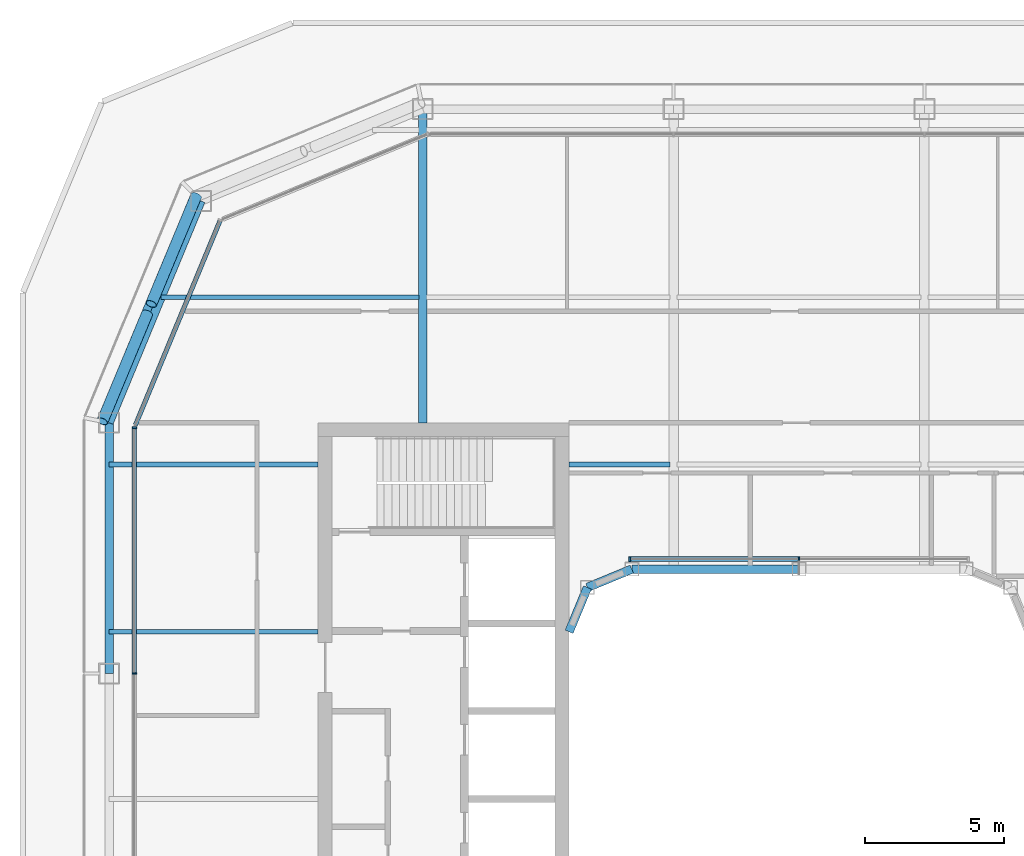
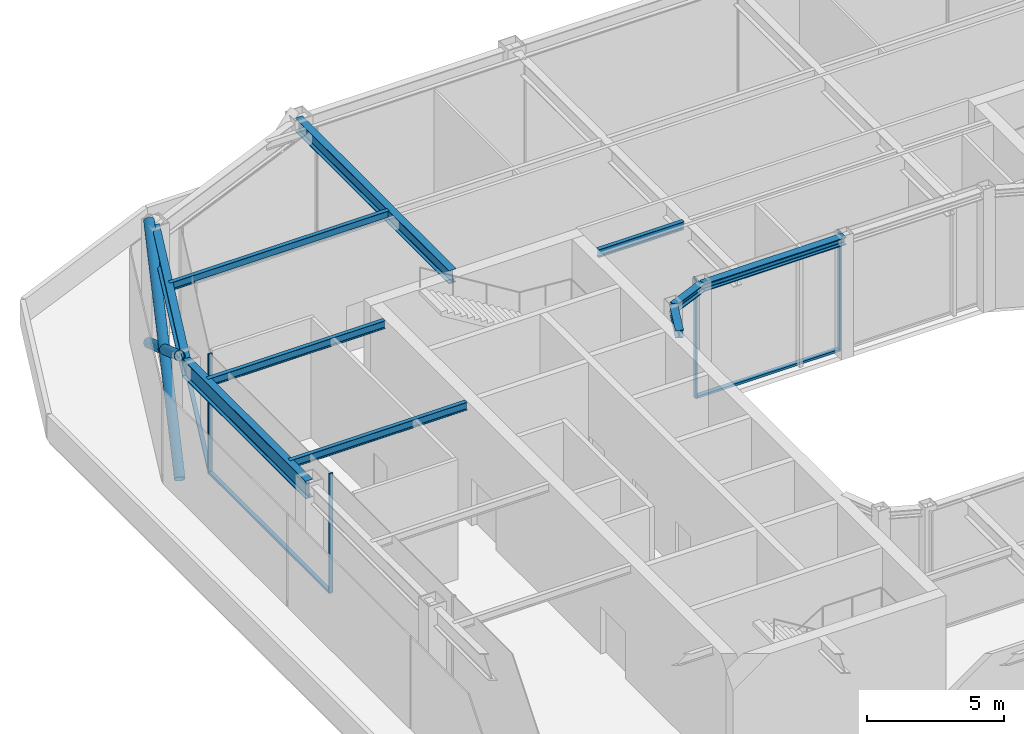
# One storey, part 6 of 17: 10 beams, 10 members, 3 elements without a shape of their own.
"""IFC4 building model written with IfcOpenShell, lengths in metres."""

import ifcopenshell
import ifcopenshell.guid

model = None  # the IFC model being written
_history = None  # IfcOwnerHistory: only IFC2X3 demands one
_inside = {}  # id of a spatial element -> (the spatial element, [elements in it])
_under = {}  # id of a project, library or spatial element -> (it, [spatial elements below it])
_declared = {}  # id of a project -> (the project, [libraries it declares])
_typed = {}  # id of a type object -> (the type object, [elements of that type])
_made_of = {}  # id of a material, layer set ... -> (it, [elements and type objects made of it])


def new_model(schema):
    """Start an empty IFC model of exactly this schema.

    Asked for "IFC4X3", IfcOpenShell would pick the latest addendum, in which some entities
    have other attributes; the version numbers below select the first issue.
    IFC2X3 requires an IfcOwnerHistory on every rooted entity: one is made here for all.
    """
    global model, _history
    if schema == "IFC4X3":
        model = ifcopenshell.file(schema_version=(4, 3, 0, 0))
    else:
        model = ifcopenshell.file(schema=schema)
    _inside.clear()
    _under.clear()
    _declared.clear()
    _typed.clear()
    _made_of.clear()
    _history = None
    if model.schema == "IFC2X3":
        org = make("IfcOrganization", Name="unknown")
        user = make(
            "IfcPersonAndOrganization",
            ThePerson=make("IfcPerson", FamilyName="unknown"),
            TheOrganization=org,
        )
        app = make(
            "IfcApplication",
            ApplicationDeveloper=org,
            Version="unknown",
            ApplicationFullName="unknown",
            ApplicationIdentifier="unknown",
        )
        _history = make(
            "IfcOwnerHistory",
            OwningUser=user,
            OwningApplication=app,
            ChangeAction="ADDED",
            CreationDate=0,
        )
    return model


def make(cls, **values):
    """One entity of the class cls with the attributes given. An attribute that is None is left unset."""
    return model.create_entity(
        cls, **{name: value for name, value in values.items() if value is not None}
    )


def rooted(cls, **values):
    """An entity with a GlobalId (a new one), such as an element, a storey or a relation."""
    return make(cls, GlobalId=ifcopenshell.guid.new(), OwnerHistory=_history, **values)


def si_unit(unit_type, name, prefix=None):
    """IfcSIUnit, for example si_unit("LENGTHUNIT", "METRE", prefix="MILLI")."""
    return make("IfcSIUnit", UnitType=unit_type, Prefix=prefix, Name=name)


def assignment(units):
    """IfcUnitAssignment: the units of a project."""
    return None if units is None else make("IfcUnitAssignment", Units=units)


def point(xyz):
    """IfcCartesianPoint."""
    return None if xyz is None else make("IfcCartesianPoint", Coordinates=xyz)


def direction(xyz):
    """IfcDirection."""
    return None if xyz is None else make("IfcDirection", DirectionRatios=xyz)


def frame(location, z_axis=None, x_axis=None):
    """IfcAxis2Placement3D, a coordinate frame: its origin and axes. An axis left out is left unset."""
    return make(
        "IfcAxis2Placement3D",
        Location=point(location),
        Axis=direction(z_axis),
        RefDirection=direction(x_axis),
    )


def frame_2d(location, x_axis=None):
    """IfcAxis2Placement2D, a coordinate frame in the plane: its origin and x axis."""
    return make(
        "IfcAxis2Placement2D", Location=point(location), RefDirection=direction(x_axis)
    )


def origin():
    """The frame at (0, 0, 0) with its axes left unset."""
    return frame((0.0, 0.0, 0.0))


def origin_2d():
    """The frame at (0, 0) in the plane with its x axis left unset."""
    return frame_2d((0.0, 0.0))


def place(relative_to, where):
    """IfcLocalPlacement: puts the frame where relative to a parent placement (None: the world)."""
    return make(
        "IfcLocalPlacement", PlacementRelTo=relative_to, RelativePlacement=where
    )


def context(
    kind, dimensions, precision=None, world=None, true_north=None, identifier=None
):
    """IfcGeometricRepresentationContext, for example the 3D "Model" context."""
    return make(
        "IfcGeometricRepresentationContext",
        ContextIdentifier=identifier,
        ContextType=kind,
        CoordinateSpaceDimension=dimensions,
        Precision=precision,
        WorldCoordinateSystem=world,
        TrueNorth=true_north,
    )


def subcontext(parent, identifier, kind, view, scale=None):
    """IfcGeometricRepresentationSubContext, for example "Body" below "Model"."""
    return make(
        "IfcGeometricRepresentationSubContext",
        ContextIdentifier=identifier,
        ContextType=kind,
        ParentContext=parent,
        TargetScale=scale,
        TargetView=view,
    )


def project(units=None, contexts=None):
    """IfcProject with its units and contexts."""
    return rooted(
        "IfcProject",
        Name="project",
        RepresentationContexts=contexts,
        UnitsInContext=assignment(units),
    )


def spatial(cls, under=None, at=None, **own):
    """A site, building, storey or space (cls), placed at a placement, below another one or the project."""
    s = rooted(cls, ObjectPlacement=at, **own)
    if under is not None:
        _under.setdefault(under.id(), (under, []))[1].append(s)
    return s


def profile(cls, at=None, kind="AREA", **sizes):
    """A parametric profile (cls). Its sizes go by their IFC names, for example OverallWidth=200.0."""
    return make(cls, ProfileType=kind, Position=at, **sizes)


def rectangle(**sizes):
    """IfcRectangleProfileDef."""
    return profile("IfcRectangleProfileDef", **sizes)


def hollow_circle(**sizes):
    """IfcCircleHollowProfileDef."""
    return profile("IfcCircleHollowProfileDef", **sizes)


def i_section(**sizes):
    """IfcIShapeProfileDef."""
    return profile("IfcIShapeProfileDef", **sizes)


def extrude(swept, where, along, depth):
    """IfcExtrudedAreaSolid: the profile swept, set in the frame where, extruded along a direction by depth."""
    return make(
        "IfcExtrudedAreaSolid",
        SweptArea=swept,
        Position=where,
        ExtrudedDirection=direction(along),
        Depth=depth,
    )


def shape(context_of_items, identifier, shape_type, items):
    """IfcShapeRepresentation: the items that make up one representation, for example the "Body"."""
    return make(
        "IfcShapeRepresentation",
        ContextOfItems=context_of_items,
        RepresentationIdentifier=identifier,
        RepresentationType=shape_type,
        Items=items,
    )


def material(Name=None, Category=None):
    """IfcMaterial."""
    return make("IfcMaterial", Name=Name, Category=Category)


def layer(
    of_material, thickness, ventilated=None, Name=None, Category=None, Priority=None
):
    """IfcMaterialLayer: one layer of a wall or slab, of a material (None: an air gap)."""
    return make(
        "IfcMaterialLayer",
        Material=of_material,
        LayerThickness=thickness,
        IsVentilated=ventilated,
        Name=Name,
        Category=Category,
        Priority=Priority,
    )


def layer_set(layers, Name=None):
    """IfcMaterialLayerSet."""
    return make("IfcMaterialLayerSet", MaterialLayers=layers, LayerSetName=Name)


def material_profile(
    of_material, cross_section, Name=None, Category=None, Priority=None
):
    """IfcMaterialProfile: a cross section and its material."""
    return make(
        "IfcMaterialProfile",
        Name=Name,
        Material=of_material,
        Profile=cross_section,
        Priority=Priority,
        Category=Category,
    )


def profile_set(profiles, Name=None, composite=None):
    """IfcMaterialProfileSet."""
    return make(
        "IfcMaterialProfileSet",
        Name=Name,
        MaterialProfiles=profiles,
        CompositeProfile=composite,
    )


def made_of(thing, what):
    """Note that an element or type object is made of a material, layer set ...; save() writes the relation."""
    if what is not None:
        _made_of.setdefault(what.id(), (what, []))[1].append(thing)
    return thing


def type_object(cls, material=None, **own):
    """A type object (cls), such as IfcWallType, which elements share."""
    return made_of(rooted(cls, **own), material)


def element(
    cls,
    number,
    at=None,
    inside=None,
    cuts=None,
    type_object=None,
    material=None,
    context=None,
    identifier="Body",
    shape_type=None,
    held_by="IfcProductDefinitionShape",
    body=None,
    shapes=None,
    **own,
):
    """One element of the class cls, such as IfcWall. Its Tag is "e" and its number.

    at: its placement. inside: the storey or other place that contains it. cuts: it is an
    opening in that element (IfcRelVoidsElement). A single representation is given by context,
    identifier, shape_type and body (its items); several are given by shapes. held_by: the class
    of the entity that holds the representations. save() writes the other relations.
    """
    e = rooted(cls, Tag="e%d" % number, ObjectPlacement=at, **own)
    if body is not None:
        shapes = [shape(context, identifier, shape_type, body)]
    if shapes is not None:
        e.Representation = make(held_by, Representations=shapes)
    if inside is not None:
        _inside.setdefault(inside.id(), (inside, []))[1].append(e)
    if cuts is not None:
        rooted(
            "IfcRelVoidsElement", RelatingBuildingElement=cuts, RelatedOpeningElement=e
        )
    if type_object is not None:
        _typed.setdefault(type_object.id(), (type_object, []))[1].append(e)
    return made_of(e, material)


def aggregate(whole, parts):
    """IfcRelAggregates: a whole, such as a stair, and the parts it consists of."""
    return rooted("IfcRelAggregates", RelatingObject=whole, RelatedObjects=parts)


def save(model, path):
    """Write the relations noted so far, then the file.

    IfcRelAggregates (storeys below a building ...), IfcRelContainedInSpatialStructure (elements
    in a storey), IfcRelDefinesByType, IfcRelAssociatesMaterial and IfcRelDeclares: one each for
    every whole, place, type object, material and project.
    """
    for whole, parts in _under.values():
        aggregate(whole, parts)
    for where, things in _inside.values():
        rooted(
            "IfcRelContainedInSpatialStructure",
            RelatedElements=things,
            RelatingStructure=where,
        )
    for kind, things in _typed.values():
        rooted("IfcRelDefinesByType", RelatedObjects=things, RelatingType=kind)
    for what, things in _made_of.values():
        rooted("IfcRelAssociatesMaterial", RelatedObjects=things, RelatingMaterial=what)
    for by, libraries in _declared.values():
        rooted("IfcRelDeclares", RelatingContext=by, RelatedDefinitions=libraries)
    model.write(path)


model = new_model("IFC4")

# Units and contexts
model_context = context("Model", 3, precision=1e-05, world=origin(), true_north=direction((0.0, 1.0)))
body_context = subcontext(model_context, "Body", "Model", "MODEL_VIEW")
ifc_project = project(units=[si_unit("LENGTHUNIT", "METRE"), si_unit("AREAUNIT", "SQUARE_METRE"), si_unit("VOLUMEUNIT", "CUBIC_METRE"), si_unit("PLANEANGLEUNIT", "RADIAN"), si_unit("MASSUNIT", "GRAM", prefix="KILO")], contexts=[model_context])

# Site, building, storey
site_placement = place(None, origin())
site = spatial("IfcSite", under=ifc_project, at=site_placement, CompositionType="ELEMENT")
building_placement = place(site_placement, origin())
building = spatial("IfcBuilding", under=site, at=building_placement, Name="Siwar Civic Tower", CompositionType="ELEMENT")
storey_placement = place(building_placement, frame((0.0, 0.0, 284.199951171875)))
storey = spatial("IfcBuildingStorey", under=building, at=storey_placement, Name="L61", CompositionType="ELEMENT", Elevation=284.199951171875)

# Curtain wall, members
ifc_material_1 = material(Name="Aluminium and glass", Category="aluminium")
ifc_layer_1 = layer(ifc_material_1, 0.159912109375)
ifc_layer_set_1 = layer_set([ifc_layer_1], Name="Aluminium and glass")
curtain_wall_type_1 = type_object("IfcCurtainWallType", Name="ENV-CW-D", PredefinedType="NOTDEFINED", material=ifc_layer_set_1)
curtain_wall_1_placement = place(storey_placement, origin())
curtain_wall_1 = element("IfcCurtainWall", 1, at=curtain_wall_1_placement, inside=storey, type_object=curtain_wall_type_1, Name="Curtain wall D W", PredefinedType="NOTDEFINED")
ifc_material_2 = material(Name="Aluminium 6063-T6", Category="aluminium")
ifc_material_profile_1 = material_profile(ifc_material_2, rectangle(XDim=0.159912109375, YDim=0.06005859375, at=origin_2d()), Name="AL 160x60")
ifc_profile_set_1 = profile_set([ifc_material_profile_1], Name="Aluminium 6063-T6")
member_type_1 = type_object("IfcMemberType", Name="ENV-MULLION-D", PredefinedType="MULLION", material=ifc_profile_set_1)
member_1_placement = place(storey_placement, frame((-23.85009765625, 13.321044921875, 0.0), z_axis=(0.0, 0.0, 1.0), x_axis=(1.0, 0.0, 0.0)))
member_1 = element("IfcMember", 2, at=member_1_placement, type_object=member_type_1, Name="Mullion D W 1", PredefinedType="MULLION", context=body_context, shape_type="SweptSolid", body=[
    extrude(rectangle(XDim=0.159912109375, YDim=0.06005859375, at=origin_2d()), origin(), (0.0, 0.0, 1.0), 5.35009765625),
])
member_2_placement = place(storey_placement, frame((-23.85009765625, 4.5, 0.0), z_axis=(0.0, 0.0, 1.0), x_axis=(1.0, 0.0, 0.0)))
member_2 = element("IfcMember", 3, at=member_2_placement, type_object=member_type_1, Name="Mullion D W 2", PredefinedType="MULLION", context=body_context, shape_type="SweptSolid", body=[
    extrude(rectangle(XDim=0.159912109375, YDim=0.06005859375, at=origin_2d()), origin(), (0.0, 0.0, 1.0), 5.35009765625),
])

ifc_material_3 = material(Name="Aluminium and glass", Category="aluminium")
ifc_layer_2 = layer(ifc_material_3, 0.179931640625)
ifc_layer_set_2 = layer_set([ifc_layer_2], Name="Aluminium and glass")
curtain_wall_type_2 = type_object("IfcCurtainWallType", Name="ENV-CW-W", PredefinedType="NOTDEFINED", material=ifc_layer_set_2)
curtain_wall_2_placement = place(storey_placement, origin())
curtain_wall_2 = element("IfcCurtainWall", 4, at=curtain_wall_2_placement, inside=storey, type_object=curtain_wall_type_2, Name="Curtain wall W WN", PredefinedType="NOTDEFINED")
ifc_material_4 = material(Name="Aluminium 6063-T6", Category="aluminium")
ifc_material_profile_2 = material_profile(ifc_material_4, rectangle(XDim=0.179931640625, YDim=0.06005859375, at=origin_2d()), Name="AL 180x60")
ifc_profile_set_2 = profile_set([ifc_material_profile_2], Name="Aluminium 6063-T6")
member_type_2 = type_object("IfcMemberType", Name="ENV-MULLION-W", PredefinedType="MULLION", material=ifc_profile_set_2)
member_3_placement = place(storey_placement, frame((0.0, 8.610107421875, 0.0), z_axis=(0.0, 0.0, 1.0), x_axis=(0.0, -1.0, 0.0)))
member_3 = element("IfcMember", 5, at=member_3_placement, type_object=member_type_2, Name="Mullion W WN 2", PredefinedType="MULLION", context=body_context, shape_type="SweptSolid", body=[
    extrude(rectangle(XDim=0.179931640625, YDim=0.06005859375, at=origin_2d()), origin(), (0.0, 0.0, 1.0), 5.35009765625),
])
member_4_placement = place(storey_placement, frame((-6.071533203125, 8.610107421875, 0.0), z_axis=(0.0, 0.0, 1.0), x_axis=(0.0, -1.0, 0.0)))
member_4 = element("IfcMember", 6, at=member_4_placement, type_object=member_type_2, Name="Mullion W WN 3", PredefinedType="MULLION", context=body_context, shape_type="SweptSolid", body=[
    extrude(rectangle(XDim=0.179931640625, YDim=0.06005859375, at=origin_2d()), origin(), (0.0, 0.0, 1.0), 5.35009765625),
])

# Curtain wall, member
ifc_material_5 = material(Name="Aluminium clad insulated panel", Category="aluminium")
ifc_layer_3 = layer(ifc_material_5, 0.159912109375)
ifc_layer_set_3 = layer_set([ifc_layer_3], Name="Aluminium clad insulated panel")
curtain_wall_type_3 = type_object("IfcCurtainWallType", Name="ENV-CW-DX", PredefinedType="NOTDEFINED", material=ifc_layer_set_3)
curtain_wall_3_placement = place(storey_placement, origin())
curtain_wall_3 = element("IfcCurtainWall", 7, at=curtain_wall_3_placement, inside=storey, type_object=curtain_wall_type_3, Name="Curtain wall D NW2", PredefinedType="NOTDEFINED")
ifc_material_6 = material(Name="Aluminium 6063-T6", Category="aluminium")
ifc_material_profile_3 = material_profile(ifc_material_6, rectangle(XDim=0.159912109375, YDim=0.10009765625, at=origin_2d()), Name="AL 160x100")
ifc_profile_set_3 = profile_set([ifc_material_profile_3], Name="Aluminium 6063-T6")
member_type_3 = type_object("IfcMemberType", Name="ENV-TRANSOM-D", PredefinedType="USERDEFINED", material=ifc_profile_set_3)
member_5_placement = place(storey_placement, frame((-20.777587890625, 20.738525390625, 0.050048828125), z_axis=(-0.382673515031, -0.923883640343, 0.0), x_axis=(0.923883640343, -0.382673515031, 0.0)))
member_5 = element("IfcMember", 8, at=member_5_placement, type_object=member_type_3, Name="Transom D NW2 1", ObjectType="TRANSOM", PredefinedType="USERDEFINED", context=body_context, shape_type="SweptSolid", body=[
    extrude(rectangle(XDim=0.159912109375, YDim=0.10009765625, at=origin_2d()), origin(), (0.0, 0.0, 1.0), 7.930908203125),
])
aggregate(curtain_wall_3, [member_5])

# Member
member_6_placement = place(storey_placement, frame((-23.85009765625, 13.291015625, 0.050048828125), z_axis=(0.0, -1.0, 0.0), x_axis=(1.0, 0.0, 0.0)))
member_6 = element("IfcMember", 9, at=member_6_placement, type_object=member_type_3, Name="Transom D W 1", ObjectType="TRANSOM", PredefinedType="USERDEFINED", context=body_context, shape_type="SweptSolid", body=[
    extrude(rectangle(XDim=0.159912109375, YDim=0.10009765625, at=origin_2d()), origin(), (0.0, 0.0, 1.0), 8.760986328125),
])

aggregate(curtain_wall_1, [member_1, member_2, member_6])

ifc_material_7 = material(Name="Aluminium 6063-T6", Category="aluminium")
ifc_material_profile_4 = material_profile(ifc_material_7, rectangle(XDim=0.179931640625, YDim=0.10009765625, at=origin_2d()), Name="AL 180x100")
ifc_profile_set_4 = profile_set([ifc_material_profile_4], Name="Aluminium 6063-T6")
member_type_4 = type_object("IfcMemberType", Name="ENV-TRANSOM-W", PredefinedType="USERDEFINED", material=ifc_profile_set_4)
member_7_placement = place(storey_placement, frame((-0.030029296875, 8.610107421875, 0.050048828125), z_axis=(-1.0, 0.0, 0.0), x_axis=(0.0, -1.0, 0.0)))
member_7 = element("IfcMember", 10, at=member_7_placement, type_object=member_type_4, Name="Transom W WN 2", ObjectType="TRANSOM", PredefinedType="USERDEFINED", context=body_context, shape_type="SweptSolid", body=[
    extrude(rectangle(XDim=0.179931640625, YDim=0.10009765625, at=origin_2d()), origin(), (0.0, 0.0, 1.0), 6.011474609375),
])

aggregate(curtain_wall_2, [member_3, member_4, member_7])

# Members
ifc_material_8 = material(Name="Steel S355", Category="steel")
ifc_material_profile_5 = material_profile(ifc_material_8, hollow_circle(Radius=0.203125, WallThickness=0.01611328125, at=origin_2d()), Name="CHS406.4x16")
ifc_profile_set_5 = profile_set([ifc_material_profile_5], Name="Steel S355")
member_type_5 = type_object("IfcMemberType", Name="STR-BR-CHS406.4x16", PredefinedType="BRACE", material=ifc_profile_set_5)
member_8_placement = place(storey_placement, frame((-24.9951171875, 13.548828125, 0.0), z_axis=(0.325297769627, 0.781791416726, 0.531961974025), x_axis=(-0.923264922524, 0.384163874976, 0.0)))
element("IfcMember", 11, at=member_8_placement, inside=storey, type_object=member_type_5, Name="L61/brc/DNW1-0-0-1", PredefinedType="BRACE", context=body_context, shape_type="SweptSolid", body=[
    extrude(hollow_circle(Radius=0.203125, WallThickness=0.01611328125, at=origin_2d()), origin(), (0.0, 0.0, 1.0), 10.339111328125),
])
member_9_placement = place(storey_placement, frame((-21.6318359375, 21.6318359375, 0.0), z_axis=(-0.325283916312, -0.78178639759, 0.531977821278), x_axis=(0.923269850454, -0.384152031417, 0.0)))
element("IfcMember", 12, at=member_9_placement, inside=storey, type_object=member_type_5, Name="L61/brc/DNW1-0-0-2", PredefinedType="BRACE", context=body_context, shape_type="SweptSolid", body=[
    extrude(hollow_circle(Radius=0.203125, WallThickness=0.01611328125, at=origin_2d()), origin(), (0.0, 0.0, 1.0), 4.94921875),
])
member_10_placement = place(storey_placement, frame((-23.38525390625, 17.417724609375, 2.867431640625), z_axis=(-0.325304998689, -0.781787733428, 0.531962966464), x_axis=(0.923261252493, -0.38417269508, 0.0)))
element("IfcMember", 13, at=member_10_placement, inside=storey, type_object=member_type_5, Name="L61/brc/DNW1-0-0-3", PredefinedType="BRACE", context=body_context, shape_type="SweptSolid", body=[
    extrude(hollow_circle(Radius=0.203125, WallThickness=0.01611328125, at=origin_2d()), origin(), (0.0, 0.0, 1.0), 4.94873046875),
])

# Beams
ifc_material_9 = material(Name="Steel S355", Category="steel")
ifc_material_profile_6 = material_profile(ifc_material_9, i_section(OverallWidth=0.169921875, OverallDepth=0.360107421875, WebThickness=0.008056640625, FlangeThickness=0.0126953125, FilletRadius=0.01806640625, at=origin_2d()), Name="IPE360")
ifc_profile_set_6 = profile_set([ifc_material_profile_6], Name="Steel S355")
beam_type_1 = type_object("IfcBeamType", Name="STR-FB-IPE360", PredefinedType="JOIST", material=ifc_profile_set_6)
for number, where, z_axis, x_axis, name in (
    (14, (-24.75, 6.0, 5.170166015625), (1.0, 0.0, 0.0), (0.0, 1.0, 0.0), "L61/bm/F020"),
    (15, (-24.75, 12.0, 5.170166015625), (1.0, 0.0, 0.0), (0.0, 1.0, 0.0), "L61/bm/F022"),
):
    element("IfcBeam", number, at=place(storey_placement, frame(where, z_axis=z_axis, x_axis=x_axis)), inside=storey, type_object=beam_type_1, Name=name, PredefinedType="JOIST", context=body_context, shape_type="SweptSolid", body=[
        extrude(i_section(OverallWidth=0.169921875, OverallDepth=0.360107421875, WebThickness=0.008056640625, FlangeThickness=0.0126953125, FilletRadius=0.01806640625, at=origin_2d()), origin(), (0.0, 0.0, 1.0), 7.5),
    ])
beam_1_placement = place(storey_placement, frame((-8.25, 12.0, 5.170166015625), z_axis=(1.0, 0.0, 0.0), x_axis=(0.0, 1.0, 0.0)))
element("IfcBeam", 16, at=beam_1_placement, inside=storey, type_object=beam_type_1, Name="L61/bm/F023", PredefinedType="JOIST", context=body_context, shape_type="SweptSolid", body=[
    extrude(i_section(OverallWidth=0.169921875, OverallDepth=0.360107421875, WebThickness=0.008056640625, FlangeThickness=0.0126953125, FilletRadius=0.01806640625, at=origin_2d()), origin(), (0.0, 0.0, 1.0), 3.6201171875),
])
beam_2_placement = place(storey_placement, frame((-22.885986328125, 18.0, 5.170166015625), z_axis=(1.0, 0.0, 0.0), x_axis=(0.0, 1.0, 0.0)))
element("IfcBeam", 17, at=beam_2_placement, inside=storey, type_object=beam_type_1, Name="L61/bm/F027", PredefinedType="JOIST", context=body_context, shape_type="SweptSolid", body=[
    extrude(i_section(OverallWidth=0.169921875, OverallDepth=0.360107421875, WebThickness=0.008056640625, FlangeThickness=0.0126953125, FilletRadius=0.01806640625, at=origin_2d()), origin(), (0.0, 0.0, 1.0), 9.256103515625),
])
ifc_material_10 = material(Name="Steel S355", Category="steel")
ifc_material_profile_7 = material_profile(ifc_material_10, i_section(OverallWidth=0.300048828125, OverallDepth=0.60009765625, WebThickness=0.015380859375, FlangeThickness=0.030029296875, FilletRadius=0.027099609375, at=origin_2d()), Name="HEB600")
ifc_profile_set_7 = profile_set([ifc_material_profile_7], Name="Steel S355")
beam_type_2 = type_object("IfcBeamType", Name="STR-PG-HEB600", PredefinedType="BEAM", material=ifc_profile_set_7)
beam_3_placement = place(storey_placement, frame((-13.5, 13.5, 5.050048828125), z_axis=(0.0, 1.0, 0.0), x_axis=(-1.0, 0.0, 0.0)))
element("IfcBeam", 18, at=beam_3_placement, inside=storey, type_object=beam_type_2, Name="L61/bm/G02", PredefinedType="BEAM", context=body_context, shape_type="SweptSolid", body=[
    extrude(i_section(OverallWidth=0.300048828125, OverallDepth=0.60009765625, WebThickness=0.015380859375, FlangeThickness=0.030029296875, FilletRadius=0.027099609375, at=origin_2d()), origin(), (0.0, 0.0, 1.0), 11.25),
])
ifc_material_11 = material(Name="Steel S355", Category="steel")
ifc_material_profile_8 = material_profile(ifc_material_11, i_section(OverallWidth=0.31005859375, OverallDepth=0.340087890625, WebThickness=0.02099609375, FlangeThickness=0.0390625, FilletRadius=0.027099609375, at=origin_2d()), Name="HEM300")
ifc_profile_set_8 = profile_set([ifc_material_profile_8], Name="Steel S355")
beam_type_3 = type_object("IfcBeamType", Name="STR-RB-HEM300", PredefinedType="BEAM", material=ifc_profile_set_8)
beam_4_placement = place(storey_placement, frame((-7.591064453125, 7.591064453125, 5.179931640625), z_axis=(0.923901072997, 0.382631424892, 0.0), x_axis=(-0.382631424892, 0.923901072997, 0.0)))
element("IfcBeam", 19, at=beam_4_placement, inside=storey, type_object=beam_type_3, Name="L61/bm/RN0", PredefinedType="BEAM", context=body_context, shape_type="SweptSolid", body=[
    extrude(i_section(OverallWidth=0.31005859375, OverallDepth=0.340087890625, WebThickness=0.02099609375, FlangeThickness=0.0390625, FilletRadius=0.027099609375, at=origin_2d()), origin(), (0.0, 0.0, 1.0), 1.72216796875),
])
beam_5_placement = place(storey_placement, frame((-6.0, 8.25, 5.179931640625), z_axis=(1.0, 0.0, 0.0), x_axis=(0.0, 1.0, 0.0)))
element("IfcBeam", 20, at=beam_5_placement, inside=storey, type_object=beam_type_3, Name="L61/bm/RN1", PredefinedType="BEAM", context=body_context, shape_type="SweptSolid", body=[
    extrude(i_section(OverallWidth=0.31005859375, OverallDepth=0.340087890625, WebThickness=0.02099609375, FlangeThickness=0.0390625, FilletRadius=0.027099609375, at=origin_2d()), origin(), (0.0, 0.0, 1.0), 6.0),
])
beam_6_placement = place(storey_placement, frame((-7.591064453125, 7.591064453125, 5.179931640625), z_axis=(-0.382631424892, -0.923901072997, 0.0), x_axis=(0.923901072997, -0.382631424892, 0.0)))
element("IfcBeam", 21, at=beam_6_placement, inside=storey, type_object=beam_type_3, Name="L61/bm/RNEW", PredefinedType="BEAM", context=body_context, shape_type="SweptSolid", body=[
    extrude(i_section(OverallWidth=0.31005859375, OverallDepth=0.340087890625, WebThickness=0.02099609375, FlangeThickness=0.0390625, FilletRadius=0.027099609375, at=origin_2d()), origin(), (0.0, 0.0, 1.0), 1.72216796875),
])
ifc_material_12 = material(Name="Steel S355", Category="steel")
ifc_material_profile_9 = material_profile(ifc_material_12, i_section(OverallWidth=0.300048828125, OverallDepth=0.800048828125, WebThickness=0.017578125, FlangeThickness=0.032958984375, FilletRadius=0.030029296875, at=origin_2d()), Name="HEB800")
ifc_profile_set_9 = profile_set([ifc_material_profile_9], Name="Steel S355")
beam_type_4 = type_object("IfcBeamType", Name="STR-SB-HEB800", PredefinedType="BEAM", material=ifc_profile_set_9)
beam_7_placement = place(storey_placement, frame((-21.454833984375, 21.454833984375, 4.949951171875), z_axis=(-0.382699877515, -0.923872720536, 0.0), x_axis=(0.923872720536, -0.382699877515, 0.0)))
element("IfcBeam", 22, at=beam_7_placement, inside=storey, type_object=beam_type_4, Name="L61/bm/SNW2-0", PredefinedType="BEAM", context=body_context, shape_type="SweptSolid", body=[
    extrude(i_section(OverallWidth=0.300048828125, OverallDepth=0.800048828125, WebThickness=0.017578125, FlangeThickness=0.032958984375, FilletRadius=0.030029296875, at=origin_2d()), origin(), (0.0, 0.0, 1.0), 8.6103515625),
])
beam_8_placement = place(storey_placement, frame((-24.75, 13.5, 4.949951171875), z_axis=(0.0, -1.0, 0.0), x_axis=(1.0, 0.0, 0.0)))
element("IfcBeam", 23, at=beam_8_placement, inside=storey, type_object=beam_type_4, Name="L61/bm/SW-0", PredefinedType="BEAM", context=body_context, shape_type="SweptSolid", body=[
    extrude(i_section(OverallWidth=0.300048828125, OverallDepth=0.800048828125, WebThickness=0.017578125, FlangeThickness=0.032958984375, FilletRadius=0.030029296875, at=origin_2d()), origin(), (0.0, 0.0, 1.0), 9.0),
])

save(model, "model.ifc")
